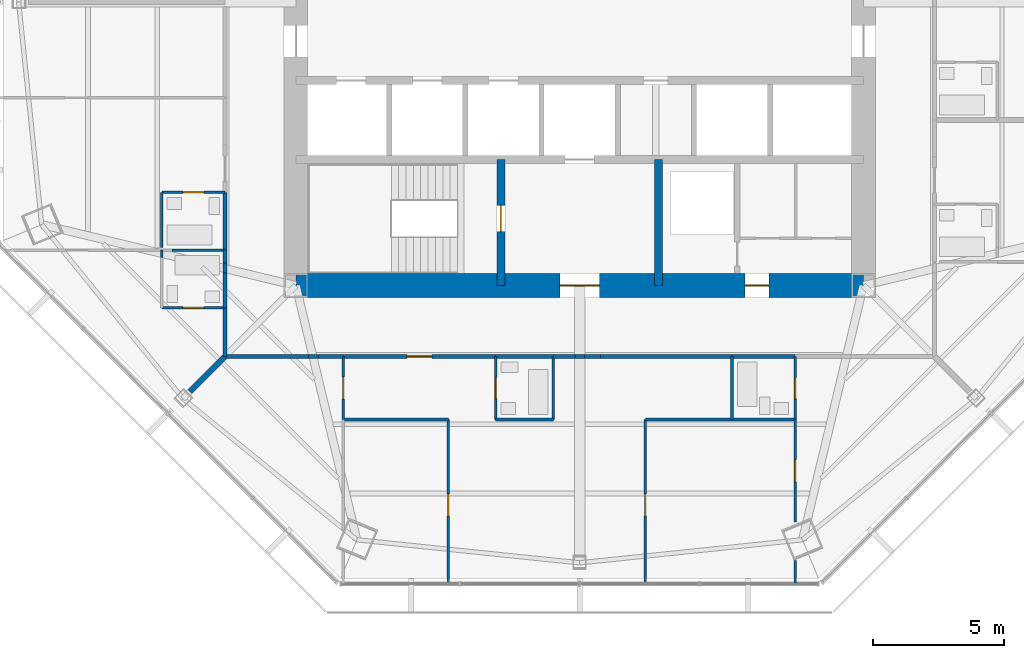
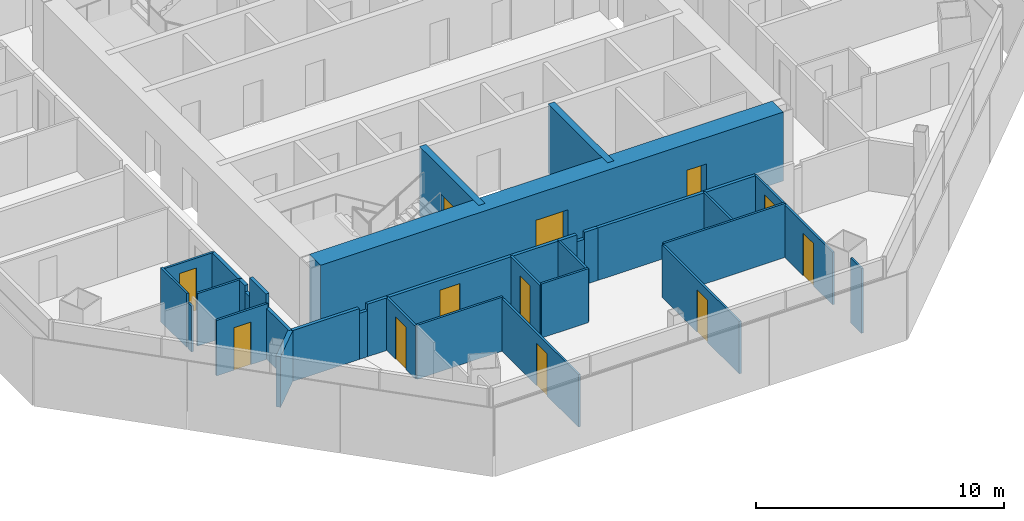
# One storey, part 9 of 15: 36 walls, 12 doors, 12 openings.
"""IFC4 building model written with IfcOpenShell, lengths in metres."""

import ifcopenshell
import ifcopenshell.guid

model = None  # the IFC model being written
_history = None  # IfcOwnerHistory: only IFC2X3 demands one
_inside = {}  # id of a spatial element -> (the spatial element, [elements in it])
_under = {}  # id of a project, library or spatial element -> (it, [spatial elements below it])
_declared = {}  # id of a project -> (the project, [libraries it declares])
_typed = {}  # id of a type object -> (the type object, [elements of that type])
_made_of = {}  # id of a material, layer set ... -> (it, [elements and type objects made of it])


def new_model(schema):
    """Start an empty IFC model of exactly this schema.

    Asked for "IFC4X3", IfcOpenShell would pick the latest addendum, in which some entities
    have other attributes; the version numbers below select the first issue.
    IFC2X3 requires an IfcOwnerHistory on every rooted entity: one is made here for all.
    """
    global model, _history
    if schema == "IFC4X3":
        model = ifcopenshell.file(schema_version=(4, 3, 0, 0))
    else:
        model = ifcopenshell.file(schema=schema)
    _inside.clear()
    _under.clear()
    _declared.clear()
    _typed.clear()
    _made_of.clear()
    _history = None
    if model.schema == "IFC2X3":
        org = make("IfcOrganization", Name="unknown")
        user = make(
            "IfcPersonAndOrganization",
            ThePerson=make("IfcPerson", FamilyName="unknown"),
            TheOrganization=org,
        )
        app = make(
            "IfcApplication",
            ApplicationDeveloper=org,
            Version="unknown",
            ApplicationFullName="unknown",
            ApplicationIdentifier="unknown",
        )
        _history = make(
            "IfcOwnerHistory",
            OwningUser=user,
            OwningApplication=app,
            ChangeAction="ADDED",
            CreationDate=0,
        )
    return model


def make(cls, **values):
    """One entity of the class cls with the attributes given. An attribute that is None is left unset."""
    return model.create_entity(
        cls, **{name: value for name, value in values.items() if value is not None}
    )


def rooted(cls, **values):
    """An entity with a GlobalId (a new one), such as an element, a storey or a relation."""
    return make(cls, GlobalId=ifcopenshell.guid.new(), OwnerHistory=_history, **values)


def si_unit(unit_type, name, prefix=None):
    """IfcSIUnit, for example si_unit("LENGTHUNIT", "METRE", prefix="MILLI")."""
    return make("IfcSIUnit", UnitType=unit_type, Prefix=prefix, Name=name)


def assignment(units):
    """IfcUnitAssignment: the units of a project."""
    return None if units is None else make("IfcUnitAssignment", Units=units)


def point(xyz):
    """IfcCartesianPoint."""
    return None if xyz is None else make("IfcCartesianPoint", Coordinates=xyz)


def direction(xyz):
    """IfcDirection."""
    return None if xyz is None else make("IfcDirection", DirectionRatios=xyz)


def frame(location, z_axis=None, x_axis=None):
    """IfcAxis2Placement3D, a coordinate frame: its origin and axes. An axis left out is left unset."""
    return make(
        "IfcAxis2Placement3D",
        Location=point(location),
        Axis=direction(z_axis),
        RefDirection=direction(x_axis),
    )


def frame_2d(location, x_axis=None):
    """IfcAxis2Placement2D, a coordinate frame in the plane: its origin and x axis."""
    return make(
        "IfcAxis2Placement2D", Location=point(location), RefDirection=direction(x_axis)
    )


def origin():
    """The frame at (0, 0, 0) with its axes left unset."""
    return frame((0.0, 0.0, 0.0))


def place(relative_to, where):
    """IfcLocalPlacement: puts the frame where relative to a parent placement (None: the world)."""
    return make(
        "IfcLocalPlacement", PlacementRelTo=relative_to, RelativePlacement=where
    )


def context(
    kind, dimensions, precision=None, world=None, true_north=None, identifier=None
):
    """IfcGeometricRepresentationContext, for example the 3D "Model" context."""
    return make(
        "IfcGeometricRepresentationContext",
        ContextIdentifier=identifier,
        ContextType=kind,
        CoordinateSpaceDimension=dimensions,
        Precision=precision,
        WorldCoordinateSystem=world,
        TrueNorth=true_north,
    )


def subcontext(parent, identifier, kind, view, scale=None):
    """IfcGeometricRepresentationSubContext, for example "Body" below "Model"."""
    return make(
        "IfcGeometricRepresentationSubContext",
        ContextIdentifier=identifier,
        ContextType=kind,
        ParentContext=parent,
        TargetScale=scale,
        TargetView=view,
    )


def project(units=None, contexts=None):
    """IfcProject with its units and contexts."""
    return rooted(
        "IfcProject",
        Name="project",
        RepresentationContexts=contexts,
        UnitsInContext=assignment(units),
    )


def spatial(cls, under=None, at=None, **own):
    """A site, building, storey or space (cls), placed at a placement, below another one or the project."""
    s = rooted(cls, ObjectPlacement=at, **own)
    if under is not None:
        _under.setdefault(under.id(), (under, []))[1].append(s)
    return s


def profile(cls, at=None, kind="AREA", **sizes):
    """A parametric profile (cls). Its sizes go by their IFC names, for example OverallWidth=200.0."""
    return make(cls, ProfileType=kind, Position=at, **sizes)


def rectangle(**sizes):
    """IfcRectangleProfileDef."""
    return profile("IfcRectangleProfileDef", **sizes)


def extrude(swept, where, along, depth):
    """IfcExtrudedAreaSolid: the profile swept, set in the frame where, extruded along a direction by depth."""
    return make(
        "IfcExtrudedAreaSolid",
        SweptArea=swept,
        Position=where,
        ExtrudedDirection=direction(along),
        Depth=depth,
    )


def shape(context_of_items, identifier, shape_type, items):
    """IfcShapeRepresentation: the items that make up one representation, for example the "Body"."""
    return make(
        "IfcShapeRepresentation",
        ContextOfItems=context_of_items,
        RepresentationIdentifier=identifier,
        RepresentationType=shape_type,
        Items=items,
    )


def material(Name=None, Category=None):
    """IfcMaterial."""
    return make("IfcMaterial", Name=Name, Category=Category)


def layer(
    of_material, thickness, ventilated=None, Name=None, Category=None, Priority=None
):
    """IfcMaterialLayer: one layer of a wall or slab, of a material (None: an air gap)."""
    return make(
        "IfcMaterialLayer",
        Material=of_material,
        LayerThickness=thickness,
        IsVentilated=ventilated,
        Name=Name,
        Category=Category,
        Priority=Priority,
    )


def layer_set(layers, Name=None):
    """IfcMaterialLayerSet."""
    return make("IfcMaterialLayerSet", MaterialLayers=layers, LayerSetName=Name)


def made_of(thing, what):
    """Note that an element or type object is made of a material, layer set ...; save() writes the relation."""
    if what is not None:
        _made_of.setdefault(what.id(), (what, []))[1].append(thing)
    return thing


def type_object(cls, material=None, **own):
    """A type object (cls), such as IfcWallType, which elements share."""
    return made_of(rooted(cls, **own), material)


def element(
    cls,
    number,
    at=None,
    inside=None,
    cuts=None,
    type_object=None,
    material=None,
    context=None,
    identifier="Body",
    shape_type=None,
    held_by="IfcProductDefinitionShape",
    body=None,
    shapes=None,
    **own,
):
    """One element of the class cls, such as IfcWall. Its Tag is "e" and its number.

    at: its placement. inside: the storey or other place that contains it. cuts: it is an
    opening in that element (IfcRelVoidsElement). A single representation is given by context,
    identifier, shape_type and body (its items); several are given by shapes. held_by: the class
    of the entity that holds the representations. save() writes the other relations.
    """
    e = rooted(cls, Tag="e%d" % number, ObjectPlacement=at, **own)
    if body is not None:
        shapes = [shape(context, identifier, shape_type, body)]
    if shapes is not None:
        e.Representation = make(held_by, Representations=shapes)
    if inside is not None:
        _inside.setdefault(inside.id(), (inside, []))[1].append(e)
    if cuts is not None:
        rooted(
            "IfcRelVoidsElement", RelatingBuildingElement=cuts, RelatedOpeningElement=e
        )
    if type_object is not None:
        _typed.setdefault(type_object.id(), (type_object, []))[1].append(e)
    return made_of(e, material)


def fill(opening, filler):
    """IfcRelFillsElement: the door or window that sits in an opening."""
    return rooted(
        "IfcRelFillsElement",
        RelatingOpeningElement=opening,
        RelatedBuildingElement=filler,
    )


def aggregate(whole, parts):
    """IfcRelAggregates: a whole, such as a stair, and the parts it consists of."""
    return rooted("IfcRelAggregates", RelatingObject=whole, RelatedObjects=parts)


def save(model, path):
    """Write the relations noted so far, then the file.

    IfcRelAggregates (storeys below a building ...), IfcRelContainedInSpatialStructure (elements
    in a storey), IfcRelDefinesByType, IfcRelAssociatesMaterial and IfcRelDeclares: one each for
    every whole, place, type object, material and project.
    """
    for whole, parts in _under.values():
        aggregate(whole, parts)
    for where, things in _inside.values():
        rooted(
            "IfcRelContainedInSpatialStructure",
            RelatedElements=things,
            RelatingStructure=where,
        )
    for kind, things in _typed.values():
        rooted("IfcRelDefinesByType", RelatedObjects=things, RelatingType=kind)
    for what, things in _made_of.values():
        rooted("IfcRelAssociatesMaterial", RelatedObjects=things, RelatingMaterial=what)
    for by, libraries in _declared.values():
        rooted("IfcRelDeclares", RelatingContext=by, RelatedDefinitions=libraries)
    model.write(path)


model = new_model("IFC4")

# Units and contexts
model_context = context("Model", 3, precision=1e-05, world=origin(), true_north=direction((0.0, 1.0)))
body_context = subcontext(model_context, "Body", "Model", "MODEL_VIEW")
ifc_project = project(units=[si_unit("LENGTHUNIT", "METRE"), si_unit("AREAUNIT", "SQUARE_METRE"), si_unit("VOLUMEUNIT", "CUBIC_METRE"), si_unit("PLANEANGLEUNIT", "RADIAN"), si_unit("MASSUNIT", "GRAM", prefix="KILO")], contexts=[model_context])

# Site, building, storey
site_placement = place(None, origin())
site = spatial("IfcSite", under=ifc_project, at=site_placement, CompositionType="ELEMENT")
building_placement = place(site_placement, origin())
building = spatial("IfcBuilding", under=site, at=building_placement, Name="Mashrafa Tower", CompositionType="ELEMENT")
storey_placement = place(building_placement, frame((0.0, 0.0, 207.39990234375)))
storey = spatial("IfcBuildingStorey", under=building, at=storey_placement, Name="L47", CompositionType="ELEMENT", Elevation=207.39990234375)

# Wall
ifc_material_1 = material(Name="Gypsum board on steel studs", Category="steel")
ifc_layer_1 = layer(ifc_material_1, 0.199951171875)
ifc_layer_set_1 = layer_set([ifc_layer_1], Name="Acoustic partition 200 1 hr")
wall_type_1 = type_object("IfcWallType", Name="Acoustic partition 200 1 hr", PredefinedType="PARTITIONING", material=ifc_layer_set_1)
wall_1_placement = place(storey_placement, frame((-14.8369140625, -14.8369140625, 0.0), z_axis=(0.0, 0.0, 1.0), x_axis=(0.707106781187, 0.707106781187, 0.0)))
element("IfcWall", 1, at=wall_1_placement, inside=storey, type_object=wall_type_1, Name="Acoustic wall L47-113", PredefinedType="PARTITIONING", context=body_context, shape_type="SweptSolid", body=[
    extrude(rectangle(XDim=1.890625, YDim=0.199951171875, at=frame_2d((0.9453125, 0.0))), origin(), (0.0, 0.0, 1.0), 2.511962890625),
])

# Wall, opening, door
ifc_material_2 = material(Name="Concrete C50/60", Category="concrete")
ifc_layer_2 = layer(ifc_material_2, 0.300048828125)
ifc_layer_set_2 = layer_set([ifc_layer_2], Name="Core wall 300 C50/60")
wall_type_2 = type_object("IfcWallType", Name="Core wall 300 C50/60", PredefinedType="SOLIDWALL", material=ifc_layer_set_2)
wall_2_placement = place(storey_placement, frame((-3.0, -6.0, 0.0), z_axis=(0.0, 0.0, 1.0), x_axis=(0.0, -1.0, 0.0)))
wall_2 = element("IfcWall", 2, at=wall_2_placement, inside=storey, type_object=wall_type_2, Name="Core wall CX-SW L47", PredefinedType="SOLIDWALL", context=body_context, shape_type="SweptSolid", body=[
    extrude(rectangle(XDim=4.800048828125, YDim=0.300048828125, at=frame_2d((2.39990234375, 0.0))), origin(), (0.0, 0.0, 1.0), 3.400146484375),
])
opening_1_placement = place(wall_2_placement, frame((1.75, 0.0, 0.0)))
opening_1 = element("IfcOpeningElement", 3, at=opening_1_placement, cuts=wall_2, Name="Opening 47.040", PredefinedType="OPENING", context=body_context, shape_type="SweptSolid", body=[
    extrude(rectangle(XDim=1.0, YDim=2.10009765625, at=frame_2d((0.5, 1.050048828125))), frame((0.0, 0.159912109375, 0.0), z_axis=(0.0, -1.0, 0.0), x_axis=(1.0, 0.0, 0.0)), (0.0, 0.0, 1.0), 0.320068359375),
])
ifc_material_3 = material(Name="Steel door", Category="steel")
door_type_1 = type_object("IfcDoorType", Name="Stair door 1000 x 2100 90 min", OperationType="USERDEFINED", PredefinedType="DOOR", material=ifc_material_3)
door_1_placement = place(opening_1_placement, frame((1.0, 0.0, 0.0), z_axis=(0.0, 0.0, 1.0), x_axis=(-1.0, 0.0, 0.0)))
door_1 = element("IfcDoor", 4, at=door_1_placement, inside=storey, type_object=door_type_1, Name="Stair S3 door L47", OperationType="SINGLE_SWING_RIGHT", OverallHeight=2.10009765625, OverallWidth=1.0, PredefinedType="DOOR", context=body_context, shape_type="SweptSolid", body=[
    extrude(rectangle(XDim=1.0, YDim=2.10009765625, at=frame_2d((0.5, 1.050048828125))), frame((0.0, 0.02490234375, 0.0), z_axis=(0.0, -1.0, 0.0), x_axis=(1.0, 0.0, 0.0)), (0.0, 0.0, 1.0), 0.050048828125),
])
fill(opening_1, door_1)

# Wall
wall_3_placement = place(storey_placement, frame((3.0, -6.0, 0.0), z_axis=(0.0, 0.0, 1.0), x_axis=(0.0, -1.0, 0.0)))
element("IfcWall", 5, at=wall_3_placement, inside=storey, type_object=wall_type_2, Name="Core wall CX-SE L47", PredefinedType="SOLIDWALL", context=body_context, shape_type="SweptSolid", body=[
    extrude(rectangle(XDim=4.800048828125, YDim=0.300048828125, at=frame_2d((2.39990234375, 0.0))), origin(), (0.0, 0.0, 1.0), 3.400146484375),
])

# Wall, openings, doors
ifc_material_4 = material(Name="Concrete C50/60", Category="concrete")
ifc_layer_3 = layer(ifc_material_4, 0.89990234375)
ifc_layer_set_3 = layer_set([ifc_layer_3], Name="Core wall 900 C50/60")
wall_type_3 = type_object("IfcWallType", Name="Core wall 900 C50/60", PredefinedType="SOLIDWALL", material=ifc_layer_set_3)
wall_4_placement = place(storey_placement, frame((-10.800048828125, -10.800048828125, 0.0), z_axis=(0.0, 0.0, 1.0), x_axis=(1.0, 0.0, 0.0)))
wall_4 = element("IfcWall", 6, at=wall_4_placement, inside=storey, type_object=wall_type_3, Name="Core wall CW-S L47", PredefinedType="SOLIDWALL", context=body_context, shape_type="SweptSolid", body=[
    extrude(rectangle(XDim=21.60009765625, YDim=0.89990234375, at=frame_2d((10.800048828125, 0.0))), origin(), (0.0, 0.0, 1.0), 3.400146484375),
])
opening_2_placement = place(wall_4_placement, frame((10.050048828125, 0.0, 0.0)))
opening_2 = element("IfcOpeningElement", 7, at=opening_2_placement, cuts=wall_4, Name="Opening 47.037", PredefinedType="OPENING", context=body_context, shape_type="SweptSolid", body=[
    extrude(rectangle(XDim=1.5, YDim=2.10009765625, at=frame_2d((0.75, 1.050048828125))), frame((0.0, 0.4599609375, 0.0), z_axis=(0.0, -1.0, 0.0), x_axis=(1.0, 0.0, 0.0)), (0.0, 0.0, 1.0), 0.919921875),
])
opening_3_placement = place(wall_4_placement, frame((17.10009765625, 0.0, 0.0)))
opening_3 = element("IfcOpeningElement", 8, at=opening_3_placement, cuts=wall_4, Name="Opening 47.041", PredefinedType="OPENING", context=body_context, shape_type="SweptSolid", body=[
    extrude(rectangle(XDim=0.89990234375, YDim=2.10009765625, at=frame_2d((0.449951171875, 1.050048828125))), frame((0.0, 0.4599609375, 0.0), z_axis=(0.0, -1.0, 0.0), x_axis=(1.0, 0.0, 0.0)), (0.0, 0.0, 1.0), 0.919921875),
])
ifc_material_5 = material(Name="Steel door", Category="steel")
door_type_2 = type_object("IfcDoorType", Name="Lobby door pair 1500 x 2100 90 min", OperationType="DOUBLE_DOOR_SINGLE_SWING", PredefinedType="DOOR", material=ifc_material_5)
door_2_placement = place(opening_2_placement, origin())
door_2 = element("IfcDoor", 9, at=door_2_placement, inside=storey, type_object=door_type_2, Name="Fire-fighting lobby F2 door L47", OperationType="DOUBLE_DOOR_SINGLE_SWING", OverallHeight=2.10009765625, OverallWidth=1.5, PredefinedType="DOOR", context=body_context, shape_type="SweptSolid", body=[
    extrude(rectangle(XDim=1.5, YDim=2.10009765625, at=frame_2d((0.75, 1.050048828125))), frame((0.0, 0.02490234375, 0.0), z_axis=(0.0, -1.0, 0.0), x_axis=(1.0, 0.0, 0.0)), (0.0, 0.0, 1.0), 0.050048828125),
])
fill(opening_2, door_2)
ifc_material_6 = material(Name="Steel door", Category="steel")
door_type_3 = type_object("IfcDoorType", Name="Service door 900 x 2100 90 min", OperationType="USERDEFINED", PredefinedType="DOOR", material=ifc_material_6)
door_3_placement = place(opening_3_placement, frame((0.89990234375, 0.0, 0.0), z_axis=(0.0, 0.0, 1.0), x_axis=(-1.0, 0.0, 0.0)))
door_3 = element("IfcDoor", 10, at=door_3_placement, inside=storey, type_object=door_type_3, Name="Services Lobby L47 door", OperationType="SINGLE_SWING_LEFT", OverallHeight=2.10009765625, OverallWidth=0.89990234375, PredefinedType="DOOR", context=body_context, shape_type="SweptSolid", body=[
    extrude(rectangle(XDim=0.89990234375, YDim=2.10009765625, at=frame_2d((0.449951171875, 1.050048828125))), frame((0.0, 0.02490234375, 0.0), z_axis=(0.0, -1.0, 0.0), x_axis=(1.0, 0.0, 0.0)), (0.0, 0.0, 1.0), 0.050048828125),
])
fill(opening_3, door_3)

# Walls
ifc_material_7 = material(Name="Gypsum board on steel studs", Category="steel")
ifc_layer_4 = layer(ifc_material_7, 0.14990234375)
ifc_layer_set_4 = layer_set([ifc_layer_4], Name="Corridor partition 150 1 hr")
wall_type_4 = type_object("IfcWallType", Name="Corridor partition 150 1 hr", PredefinedType="PARTITIONING", material=ifc_layer_set_4)
wall_5_placement = place(storey_placement, frame((-13.5, -9.448974609375, 0.0), z_axis=(0.0, 0.0, 1.0), x_axis=(0.0, -1.0, 0.0)))
element("IfcWall", 11, at=wall_5_placement, inside=storey, type_object=wall_type_4, Name="Corridor wall L47-039", PredefinedType="PARTITIONING", context=body_context, shape_type="SweptSolid", body=[
    extrude(rectangle(XDim=0.498291015625, YDim=0.14990234375, at=frame_2d((0.2490234375, 0.0))), origin(), (0.0, 0.0, 1.0), 2.590576171875),
])
wall_6_placement = place(storey_placement, frame((-13.5, -10.322998046875, 0.0), z_axis=(0.0, 0.0, 1.0), x_axis=(0.0, -1.0, 0.0)))
element("IfcWall", 12, at=wall_6_placement, inside=storey, type_object=wall_type_4, Name="Corridor wall L47-040", PredefinedType="PARTITIONING", context=body_context, shape_type="SweptSolid", body=[
    extrude(rectangle(XDim=1.327880859375, YDim=0.14990234375, at=frame_2d((0.6640625, 0.0))), origin(), (0.0, 0.0, 1.0), 3.2001953125),
])
wall_7_placement = place(storey_placement, frame((-13.5, -9.947265625, 0.0), z_axis=(0.0, 0.0, 1.0), x_axis=(0.0, -1.0, 0.0)))
element("IfcWall", 13, at=wall_7_placement, inside=storey, type_object=wall_type_4, Name="Corridor wall L47-041", PredefinedType="PARTITIONING", context=body_context, shape_type="SweptSolid", body=[
    extrude(rectangle(XDim=0.375732421875, YDim=0.14990234375, at=frame_2d((0.18798828125, 0.0))), origin(), (0.0, 0.0, 1.0), 2.268310546875),
])
wall_8_placement = place(storey_placement, frame((-13.5, -11.64892578125, 0.0), z_axis=(0.0, 0.0, 1.0), x_axis=(0.0, -1.0, 0.0)))
element("IfcWall", 14, at=wall_8_placement, inside=storey, type_object=wall_type_4, Name="Corridor wall L47-042", PredefinedType="PARTITIONING", context=body_context, shape_type="SweptSolid", body=[
    extrude(rectangle(XDim=1.85107421875, YDim=0.14990234375, at=frame_2d((0.925537109375, 0.0))), origin(), (0.0, 0.0, 1.0), 2.511962890625),
])
wall_9_placement = place(storey_placement, frame((-13.5, -7.2490234375, 0.0), z_axis=(0.0, 0.0, 1.0), x_axis=(0.0, -1.0, 0.0)))
element("IfcWall", 15, at=wall_9_placement, inside=storey, type_object=wall_type_4, Name="Corridor wall L47-043", PredefinedType="PARTITIONING", context=body_context, shape_type="SweptSolid", body=[
    extrude(rectangle(XDim=2.201904296875, YDim=0.14990234375, at=frame_2d((1.10107421875, 0.0))), origin(), (0.0, 0.0, 1.0), 2.590576171875),
])
wall_10_placement = place(storey_placement, frame((-13.5, -13.5, 0.0), z_axis=(0.0, 0.0, 1.0), x_axis=(1.0, 0.0, 0.0)))
element("IfcWall", 16, at=wall_10_placement, inside=storey, type_object=wall_type_4, Name="Corridor wall L47-047", PredefinedType="PARTITIONING", context=body_context, shape_type="SweptSolid", body=[
    extrude(rectangle(XDim=3.177001953125, YDim=0.14990234375, at=frame_2d((1.58837890625, 0.0))), origin(), (0.0, 0.0, 1.0), 2.511962890625),
])
wall_11_placement = place(storey_placement, frame((-9.947265625, -13.5, 0.0), z_axis=(0.0, 0.0, 1.0), x_axis=(1.0, 0.0, 0.0)))
element("IfcWall", 17, at=wall_11_placement, inside=storey, type_object=wall_type_4, Name="Corridor wall L47-048", PredefinedType="PARTITIONING", context=body_context, shape_type="SweptSolid", body=[
    extrude(rectangle(XDim=0.9482421875, YDim=0.14990234375, at=frame_2d((0.47412109375, 0.0))), origin(), (0.0, 0.0, 1.0), 2.590576171875),
])
wall_12_placement = place(storey_placement, frame((-10.322998046875, -13.5, 0.0), z_axis=(0.0, 0.0, 1.0), x_axis=(1.0, 0.0, 0.0)))
element("IfcWall", 18, at=wall_12_placement, inside=storey, type_object=wall_type_4, Name="Corridor wall L47-049", PredefinedType="PARTITIONING", context=body_context, shape_type="SweptSolid", body=[
    extrude(rectangle(XDim=0.375732421875, YDim=0.14990234375, at=frame_2d((0.18798828125, 0.0))), origin(), (0.0, 0.0, 1.0), 2.268310546875),
])
wall_13_placement = place(storey_placement, frame((-3.200927734375, -13.5, 0.0), z_axis=(0.0, 0.0, 1.0), x_axis=(1.0, 0.0, 0.0)))
element("IfcWall", 19, at=wall_13_placement, inside=storey, type_object=wall_type_4, Name="Corridor wall L47-050", PredefinedType="PARTITIONING", context=body_context, shape_type="SweptSolid", body=[
    extrude(rectangle(XDim=2.201904296875, YDim=0.14990234375, at=frame_2d((1.10107421875, 0.0))), origin(), (0.0, 0.0, 1.0), 2.590576171875),
])
wall_14_placement = place(storey_placement, frame((-1.0009765625, -13.5, 0.0), z_axis=(0.0, 0.0, 1.0), x_axis=(1.0, 0.0, 0.0)))
element("IfcWall", 20, at=wall_14_placement, inside=storey, type_object=wall_type_4, Name="Corridor wall L47-051", PredefinedType="PARTITIONING", context=body_context, shape_type="SweptSolid", body=[
    extrude(rectangle(XDim=0.8173828125, YDim=0.14990234375, at=frame_2d((0.40869140625, 0.0))), origin(), (0.0, 0.0, 1.0), 2.590576171875),
])
wall_15_placement = place(storey_placement, frame((0.18359375, -13.5, 0.0), z_axis=(0.0, 0.0, 1.0), x_axis=(1.0, 0.0, 0.0)))
element("IfcWall", 21, at=wall_15_placement, inside=storey, type_object=wall_type_4, Name="Corridor wall L47-052", PredefinedType="PARTITIONING", context=body_context, shape_type="SweptSolid", body=[
    extrude(rectangle(XDim=0.617431640625, YDim=0.14990234375, at=frame_2d((0.30859375, 0.0))), origin(), (0.0, 0.0, 1.0), 2.590576171875),
])
wall_16_placement = place(storey_placement, frame((-0.18359375, -13.5, 0.0), z_axis=(0.0, 0.0, 1.0), x_axis=(1.0, 0.0, 0.0)))
element("IfcWall", 22, at=wall_16_placement, inside=storey, type_object=wall_type_4, Name="Corridor wall L47-053", PredefinedType="PARTITIONING", context=body_context, shape_type="SweptSolid", body=[
    extrude(rectangle(XDim=0.3671875, YDim=0.14990234375, at=frame_2d((0.18359375, 0.0))), origin(), (0.0, 0.0, 1.0), 2.2529296875),
])
wall_17_placement = place(storey_placement, frame((5.799072265625, -13.5, 0.0), z_axis=(0.0, 0.0, 1.0), x_axis=(1.0, 0.0, 0.0)))
element("IfcWall", 23, at=wall_17_placement, inside=storey, type_object=wall_type_4, Name="Corridor wall L47-054", PredefinedType="PARTITIONING", context=body_context, shape_type="SweptSolid", body=[
    extrude(rectangle(XDim=2.40185546875, YDim=0.14990234375, at=frame_2d((1.200927734375, 0.0))), origin(), (0.0, 0.0, 1.0), 2.590576171875),
])

# Wall, opening, door
wall_18_placement = place(storey_placement, frame((-9.0009765625, -13.5, 0.0), z_axis=(0.0, 0.0, 1.0), x_axis=(1.0, 0.0, 0.0)))
wall_18 = element("IfcWall", 24, at=wall_18_placement, inside=storey, type_object=wall_type_4, Name="Corridor wall L47-058", PredefinedType="PARTITIONING", context=body_context, shape_type="SweptSolid", body=[
    extrude(rectangle(XDim=5.802001953125, YDim=0.14990234375, at=frame_2d((2.90087890625, 0.0))), origin(), (0.0, 0.0, 1.0), 2.590576171875),
])
opening_4_placement = place(wall_18_placement, frame((2.426025390625, 0.0, 0.0)))
opening_4 = element("IfcOpeningElement", 25, at=opening_4_placement, cuts=wall_18, Name="Opening 47.030", PredefinedType="OPENING", context=body_context, shape_type="SweptSolid", body=[
    extrude(rectangle(XDim=0.949951171875, YDim=2.10009765625, at=frame_2d((0.47509765625, 1.050048828125))), frame((0.0, 0.0849609375, 0.0), z_axis=(0.0, -1.0, 0.0), x_axis=(1.0, 0.0, 0.0)), (0.0, 0.0, 1.0), 0.169921875),
])
ifc_material_8 = material(Name="Steel door", Category="steel")
door_type_4 = type_object("IfcDoorType", Name="Residence entrance door 950 x 2100 20 min", OperationType="USERDEFINED", PredefinedType="DOOR", material=ifc_material_8)
door_4_placement = place(opening_4_placement, frame((0.949951171875, 0.0, 0.0), z_axis=(0.0, 0.0, 1.0), x_axis=(-1.0, 0.0, 0.0)))
door_4 = element("IfcDoor", 26, at=door_4_placement, inside=storey, type_object=door_type_4, Name="Apartment 4708 Living Room door", OperationType="SINGLE_SWING_RIGHT", OverallHeight=2.10009765625, OverallWidth=0.949951171875, PredefinedType="DOOR", context=body_context, shape_type="SweptSolid", body=[
    extrude(rectangle(XDim=0.949951171875, YDim=2.10009765625, at=frame_2d((0.47509765625, 1.050048828125))), frame((0.0, 0.02490234375, 0.0), z_axis=(0.0, -1.0, 0.0), x_axis=(1.0, 0.0, 0.0)), (0.0, 0.0, 1.0), 0.050048828125),
])
fill(opening_4, door_4)

# Walls
wall_19_placement = place(storey_placement, frame((0.799072265625, -13.5, 0.0), z_axis=(0.0, 0.0, 1.0), x_axis=(1.0, 0.0, 0.0)))
element("IfcWall", 27, at=wall_19_placement, inside=storey, type_object=wall_type_4, Name="Corridor wall L47-059", PredefinedType="PARTITIONING", context=body_context, shape_type="SweptSolid", body=[
    extrude(rectangle(XDim=5.001953125, YDim=0.14990234375, at=frame_2d((2.5009765625, 0.0))), origin(), (0.0, 0.0, 1.0), 2.590576171875),
])
ifc_material_9 = material(Name="Gypsum board on steel studs", Category="steel")
ifc_layer_5 = layer(ifc_material_9, 0.10009765625)
ifc_layer_set_5 = layer_set([ifc_layer_5], Name="Partition 100")
wall_type_5 = type_object("IfcWallType", Name="Partition 100", PredefinedType="PARTITIONING", material=ifc_layer_set_5)
wall_20_placement = place(storey_placement, frame((-15.89990234375, -9.449951171875, 0.0), z_axis=(0.0, 0.0, 1.0), x_axis=(0.0, -1.0, 0.0)))
element("IfcWall", 28, at=wall_20_placement, inside=storey, type_object=wall_type_5, Name="Partition wall L47-107", PredefinedType="PARTITIONING", context=body_context, shape_type="SweptSolid", body=[
    extrude(rectangle(XDim=0.281982421875, YDim=0.10009765625, at=frame_2d((0.14111328125, 0.0))), origin(), (0.0, 0.0, 1.0), 2.268310546875),
])

# Wall, opening, door
wall_21_placement = place(storey_placement, frame((-15.89990234375, -11.64990234375, 0.0), z_axis=(0.0, 0.0, 1.0), x_axis=(1.0, 0.0, 0.0)))
wall_21 = element("IfcWall", 29, at=wall_21_placement, inside=storey, type_object=wall_type_5, Name="Partition wall L47-108", PredefinedType="PARTITIONING", context=body_context, shape_type="SweptSolid", body=[
    extrude(rectangle(XDim=2.39990234375, YDim=0.10009765625, at=frame_2d((1.199951171875, 0.0))), origin(), (0.0, 0.0, 1.0), 2.740478515625),
])
opening_5_placement = place(wall_21_placement, frame((0.800048828125, 0.0, 0.0)))
opening_5 = element("IfcOpeningElement", 30, at=opening_5_placement, cuts=wall_21, Name="Opening 47.020", PredefinedType="OPENING", context=body_context, shape_type="SweptSolid", body=[
    extrude(rectangle(XDim=0.800048828125, YDim=2.10009765625, at=frame_2d((0.39990234375, 1.050048828125))), frame((0.0, 0.06005859375, 0.0), z_axis=(0.0, -1.0, 0.0), x_axis=(1.0, 0.0, 0.0)), (0.0, 0.0, 1.0), 0.1201171875),
])
ifc_material_10 = material(Name="Timber door", Category="wood")
door_type_5 = type_object("IfcDoorType", Name="Bathroom door 800 x 2100", OperationType="USERDEFINED", PredefinedType="DOOR", material=ifc_material_10)
door_5_placement = place(opening_5_placement, origin())
door_5 = element("IfcDoor", 31, at=door_5_placement, inside=storey, type_object=door_type_5, Name="Apartment 4707 En-suite Bathroom door", OperationType="SINGLE_SWING_LEFT", OverallHeight=2.10009765625, OverallWidth=0.800048828125, PredefinedType="DOOR", context=body_context, shape_type="SweptSolid", body=[
    extrude(rectangle(XDim=0.800048828125, YDim=2.10009765625, at=frame_2d((0.39990234375, 1.050048828125))), frame((0.0, 0.02490234375, 0.0), z_axis=(0.0, -1.0, 0.0), x_axis=(1.0, 0.0, 0.0)), (0.0, 0.0, 1.0), 0.050048828125),
])
fill(opening_5, door_5)

# Wall
wall_22_placement = place(storey_placement, frame((-13.5, -9.449951171875, 0.0), z_axis=(0.0, 0.0, 1.0), x_axis=(-1.0, 0.0, 0.0)))
element("IfcWall", 32, at=wall_22_placement, inside=storey, type_object=wall_type_5, Name="Partition wall L47-109", PredefinedType="PARTITIONING", context=body_context, shape_type="SweptSolid", body=[
    extrude(rectangle(XDim=2.019287109375, YDim=0.10009765625, at=frame_2d((1.009765625, 0.0))), origin(), (0.0, 0.0, 1.0), 2.590576171875),
])

# Wall, opening, door
wall_23_placement = place(storey_placement, frame((-13.5, -7.25, 0.0), z_axis=(0.0, 0.0, 1.0), x_axis=(-1.0, 0.0, 0.0)))
wall_23 = element("IfcWall", 33, at=wall_23_placement, inside=storey, type_object=wall_type_5, Name="Partition wall L47-114", PredefinedType="PARTITIONING", context=body_context, shape_type="SweptSolid", body=[
    extrude(rectangle(XDim=2.39990234375, YDim=0.10009765625, at=frame_2d((1.199951171875, 0.0))), origin(), (0.0, 0.0, 1.0), 2.590576171875),
])
opening_6_placement = place(wall_23_placement, frame((0.800048828125, 0.0, 0.0)))
opening_6 = element("IfcOpeningElement", 34, at=opening_6_placement, cuts=wall_23, Name="Opening 47.022", PredefinedType="OPENING", context=body_context, shape_type="SweptSolid", body=[
    extrude(rectangle(XDim=0.800048828125, YDim=2.10009765625, at=frame_2d((0.39990234375, 1.050048828125))), frame((0.0, 0.06005859375, 0.0), z_axis=(0.0, -1.0, 0.0), x_axis=(1.0, 0.0, 0.0)), (0.0, 0.0, 1.0), 0.1201171875),
])
door_6_placement = place(opening_6_placement, origin())
door_6 = element("IfcDoor", 35, at=door_6_placement, inside=storey, type_object=door_type_5, Name="Apartment 4707 Bathroom door", OperationType="SINGLE_SWING_RIGHT", OverallHeight=2.10009765625, OverallWidth=0.800048828125, PredefinedType="DOOR", context=body_context, shape_type="SweptSolid", body=[
    extrude(rectangle(XDim=0.800048828125, YDim=2.10009765625, at=frame_2d((0.39990234375, 1.050048828125))), frame((0.0, 0.02490234375, 0.0), z_axis=(0.0, -1.0, 0.0), x_axis=(1.0, 0.0, 0.0)), (0.0, 0.0, 1.0), 0.050048828125),
])
fill(opening_6, door_6)

# Wall
wall_24_placement = place(storey_placement, frame((-15.89990234375, -7.25, 0.0), z_axis=(0.0, 0.0, 1.0), x_axis=(0.0, -1.0, 0.0)))
element("IfcWall", 36, at=wall_24_placement, inside=storey, type_object=wall_type_5, Name="Partition wall L47-115", PredefinedType="PARTITIONING", context=body_context, shape_type="SweptSolid", body=[
    extrude(rectangle(XDim=2.106201171875, YDim=0.10009765625, at=frame_2d((1.05322265625, 0.0))), origin(), (0.0, 0.0, 1.0), 2.664306640625),
])

# Wall, opening, door
wall_25_placement = place(storey_placement, frame((-9.0, -15.90087890625, 0.0), z_axis=(0.0, 0.0, 1.0), x_axis=(0.0, 1.0, 0.0)))
wall_25 = element("IfcWall", 37, at=wall_25_placement, inside=storey, type_object=wall_type_5, Name="Partition wall L47-122", PredefinedType="PARTITIONING", context=body_context, shape_type="SweptSolid", body=[
    extrude(rectangle(XDim=2.40087890625, YDim=0.10009765625, at=frame_2d((1.200439453125, 0.0))), origin(), (0.0, 0.0, 1.0), 2.590576171875),
])
opening_7_placement = place(wall_25_placement, frame((0.775390625, 0.0, 0.0)))
opening_7 = element("IfcOpeningElement", 38, at=opening_7_placement, cuts=wall_25, Name="Opening 47.025", PredefinedType="OPENING", context=body_context, shape_type="SweptSolid", body=[
    extrude(rectangle(XDim=0.85009765625, YDim=2.10009765625, at=frame_2d((0.425048828125, 1.050048828125))), frame((0.0, 0.06005859375, 0.0), z_axis=(0.0, -1.0, 0.0), x_axis=(1.0, 0.0, 0.0)), (0.0, 0.0, 1.0), 0.1201171875),
])
ifc_material_11 = material(Name="Timber door", Category="wood")
door_type_6 = type_object("IfcDoorType", Name="Bedroom door 850 x 2100", OperationType="USERDEFINED", PredefinedType="DOOR", material=ifc_material_11)
door_7_placement = place(opening_7_placement, origin())
door_7 = element("IfcDoor", 39, at=door_7_placement, inside=storey, type_object=door_type_6, Name="Apartment 4708 Bedroom 1 door", OperationType="SINGLE_SWING_RIGHT", OverallHeight=2.10009765625, OverallWidth=0.85009765625, PredefinedType="DOOR", context=body_context, shape_type="SweptSolid", body=[
    extrude(rectangle(XDim=0.85009765625, YDim=2.10009765625, at=frame_2d((0.425048828125, 1.050048828125))), frame((0.0, 0.02490234375, 0.0), z_axis=(0.0, -1.0, 0.0), x_axis=(1.0, 0.0, 0.0)), (0.0, 0.0, 1.0), 0.050048828125),
])
fill(opening_7, door_7)

wall_26_placement = place(storey_placement, frame((-5.0, -22.131591796875, 0.0), z_axis=(0.0, 0.0, 1.0), x_axis=(0.0, 1.0, 0.0)))
wall_26 = element("IfcWall", 40, at=wall_26_placement, inside=storey, type_object=wall_type_5, Name="Partition wall L47-123", PredefinedType="PARTITIONING", context=body_context, shape_type="SweptSolid", body=[
    extrude(rectangle(XDim=6.231689453125, YDim=0.10009765625, at=frame_2d((3.11572265625, 0.0))), origin(), (0.0, 0.0, 1.0), 2.590576171875),
])
opening_8_placement = place(wall_26_placement, frame((2.552734375, 0.0, 0.0)))
opening_8 = element("IfcOpeningElement", 41, at=opening_8_placement, cuts=wall_26, Name="Opening 47.026", PredefinedType="OPENING", context=body_context, shape_type="SweptSolid", body=[
    extrude(rectangle(XDim=0.85009765625, YDim=2.10009765625, at=frame_2d((0.425048828125, 1.050048828125))), frame((0.0, 0.06005859375, 0.0), z_axis=(0.0, -1.0, 0.0), x_axis=(1.0, 0.0, 0.0)), (0.0, 0.0, 1.0), 0.1201171875),
])
door_8_placement = place(opening_8_placement, origin())
door_8 = element("IfcDoor", 42, at=door_8_placement, inside=storey, type_object=door_type_6, Name="Apartment 4708 Bedroom 2 door", OperationType="SINGLE_SWING_LEFT", OverallHeight=2.10009765625, OverallWidth=0.85009765625, PredefinedType="DOOR", context=body_context, shape_type="SweptSolid", body=[
    extrude(rectangle(XDim=0.85009765625, YDim=2.10009765625, at=frame_2d((0.425048828125, 1.050048828125))), frame((0.0, 0.02490234375, 0.0), z_axis=(0.0, -1.0, 0.0), x_axis=(1.0, 0.0, 0.0)), (0.0, 0.0, 1.0), 0.050048828125),
])
fill(opening_8, door_8)

# Walls
wall_27_placement = place(storey_placement, frame((-5.0, -15.89990234375, 0.0), z_axis=(0.0, 0.0, 1.0), x_axis=(-1.0, 0.0, 0.0)))
element("IfcWall", 43, at=wall_27_placement, inside=storey, type_object=wall_type_5, Name="Partition wall L47-124", PredefinedType="PARTITIONING", context=body_context, shape_type="SweptSolid", body=[
    extrude(rectangle(XDim=4.0, YDim=0.10009765625, at=frame_2d((2.0, 0.0))), origin(), (0.0, 0.0, 1.0), 2.664306640625),
])
wall_28_placement = place(storey_placement, frame((-1.0, -15.89990234375, 0.0), z_axis=(0.0, 0.0, 1.0), x_axis=(0.0, 1.0, 0.0)))
element("IfcWall", 44, at=wall_28_placement, inside=storey, type_object=wall_type_5, Name="Partition wall L47-125", PredefinedType="PARTITIONING", context=body_context, shape_type="SweptSolid", body=[
    extrude(rectangle(XDim=2.39990234375, YDim=0.10009765625, at=frame_2d((1.199951171875, 0.0))), origin(), (0.0, 0.0, 1.0), 2.590576171875),
])

# Wall, opening, door
wall_29_placement = place(storey_placement, frame((-3.199951171875, -13.5, 0.0), z_axis=(0.0, 0.0, 1.0), x_axis=(0.0, -1.0, 0.0)))
wall_29 = element("IfcWall", 45, at=wall_29_placement, inside=storey, type_object=wall_type_5, Name="Partition wall L47-126", PredefinedType="PARTITIONING", context=body_context, shape_type="SweptSolid", body=[
    extrude(rectangle(XDim=2.39990234375, YDim=0.10009765625, at=frame_2d((1.199951171875, 0.0))), origin(), (0.0, 0.0, 1.0), 2.590576171875),
])
opening_9_placement = place(wall_29_placement, frame((0.800048828125, 0.0, 0.0)))
opening_9 = element("IfcOpeningElement", 46, at=opening_9_placement, cuts=wall_29, Name="Opening 47.027", PredefinedType="OPENING", context=body_context, shape_type="SweptSolid", body=[
    extrude(rectangle(XDim=0.800048828125, YDim=2.10009765625, at=frame_2d((0.39990234375, 1.050048828125))), frame((0.0, 0.06005859375, 0.0), z_axis=(0.0, -1.0, 0.0), x_axis=(1.0, 0.0, 0.0)), (0.0, 0.0, 1.0), 0.1201171875),
])
door_9_placement = place(opening_9_placement, origin())
door_9 = element("IfcDoor", 47, at=door_9_placement, inside=storey, type_object=door_type_5, Name="Apartment 4708 Bathroom door", OperationType="SINGLE_SWING_RIGHT", OverallHeight=2.10009765625, OverallWidth=0.800048828125, PredefinedType="DOOR", context=body_context, shape_type="SweptSolid", body=[
    extrude(rectangle(XDim=0.800048828125, YDim=2.10009765625, at=frame_2d((0.39990234375, 1.050048828125))), frame((0.0, 0.02490234375, 0.0), z_axis=(0.0, -1.0, 0.0), x_axis=(1.0, 0.0, 0.0)), (0.0, 0.0, 1.0), 0.050048828125),
])
fill(opening_9, door_9)

# Wall
wall_30_placement = place(storey_placement, frame((-3.199951171875, -15.89990234375, 0.0), z_axis=(0.0, 0.0, 1.0), x_axis=(1.0, 0.0, 0.0)))
element("IfcWall", 48, at=wall_30_placement, inside=storey, type_object=wall_type_5, Name="Partition wall L47-127", PredefinedType="PARTITIONING", context=body_context, shape_type="SweptSolid", body=[
    extrude(rectangle(XDim=2.199951171875, YDim=0.10009765625, at=frame_2d((1.10009765625, 0.0))), origin(), (0.0, 0.0, 1.0), 2.664306640625),
])

# Wall, opening, door
wall_31_placement = place(storey_placement, frame((8.199951171875, -15.89990234375, 0.0), z_axis=(0.0, 0.0, 1.0), x_axis=(0.0, 1.0, 0.0)))
wall_31 = element("IfcWall", 49, at=wall_31_placement, inside=storey, type_object=wall_type_5, Name="Partition wall L47-128", PredefinedType="PARTITIONING", context=body_context, shape_type="SweptSolid", body=[
    extrude(rectangle(XDim=2.39990234375, YDim=0.10009765625, at=frame_2d((1.199951171875, 0.0))), origin(), (0.0, 0.0, 1.0), 2.590576171875),
])
opening_10_placement = place(wall_31_placement, frame((0.800048828125, 0.0, 0.0)))
opening_10 = element("IfcOpeningElement", 50, at=opening_10_placement, cuts=wall_31, Name="Opening 47.028", PredefinedType="OPENING", context=body_context, shape_type="SweptSolid", body=[
    extrude(rectangle(XDim=0.800048828125, YDim=2.10009765625, at=frame_2d((0.39990234375, 1.050048828125))), frame((0.0, 0.06005859375, 0.0), z_axis=(0.0, -1.0, 0.0), x_axis=(1.0, 0.0, 0.0)), (0.0, 0.0, 1.0), 0.1201171875),
])
door_10_placement = place(opening_10_placement, origin())
door_10 = element("IfcDoor", 51, at=door_10_placement, inside=storey, type_object=door_type_5, Name="Apartment 4708 En-suite Bathroom door", OperationType="SINGLE_SWING_LEFT", OverallHeight=2.10009765625, OverallWidth=0.800048828125, PredefinedType="DOOR", context=body_context, shape_type="SweptSolid", body=[
    extrude(rectangle(XDim=0.800048828125, YDim=2.10009765625, at=frame_2d((0.39990234375, 1.050048828125))), frame((0.0, 0.02490234375, 0.0), z_axis=(0.0, -1.0, 0.0), x_axis=(1.0, 0.0, 0.0)), (0.0, 0.0, 1.0), 0.050048828125),
])
fill(opening_10, door_10)

# Walls
wall_32_placement = place(storey_placement, frame((5.800048828125, -13.5, 0.0), z_axis=(0.0, 0.0, 1.0), x_axis=(0.0, -1.0, 0.0)))
element("IfcWall", 52, at=wall_32_placement, inside=storey, type_object=wall_type_5, Name="Partition wall L47-129", PredefinedType="PARTITIONING", context=body_context, shape_type="SweptSolid", body=[
    extrude(rectangle(XDim=2.39990234375, YDim=0.10009765625, at=frame_2d((1.199951171875, 0.0))), origin(), (0.0, 0.0, 1.0), 2.590576171875),
])
wall_33_placement = place(storey_placement, frame((8.199951171875, -15.89990234375, 0.0), z_axis=(0.0, 0.0, 1.0), x_axis=(-1.0, 0.0, 0.0)))
element("IfcWall", 53, at=wall_33_placement, inside=storey, type_object=wall_type_5, Name="Partition wall L47-130", PredefinedType="PARTITIONING", context=body_context, shape_type="SweptSolid", body=[
    extrude(rectangle(XDim=5.699951171875, YDim=0.10009765625, at=frame_2d((2.85009765625, 0.0))), origin(), (0.0, 0.0, 1.0), 2.664306640625),
])

# Wall, opening, door
wall_34_placement = place(storey_placement, frame((8.199951171875, -15.89892578125, 0.0), z_axis=(0.0, 0.0, 1.0), x_axis=(0.0, -1.0, 0.0)))
wall_34 = element("IfcWall", 54, at=wall_34_placement, inside=storey, type_object=wall_type_5, Name="Partition wall L47-131", PredefinedType="PARTITIONING", context=body_context, shape_type="SweptSolid", body=[
    extrude(rectangle(XDim=3.903076171875, YDim=0.10009765625, at=frame_2d((1.95166015625, 0.0))), origin(), (0.0, 0.0, 1.0), 2.590576171875),
])
opening_11_placement = place(wall_34_placement, frame((1.526611328125, 0.0, 0.0)))
opening_11 = element("IfcOpeningElement", 55, at=opening_11_placement, cuts=wall_34, Name="Opening 47.029", PredefinedType="OPENING", context=body_context, shape_type="SweptSolid", body=[
    extrude(rectangle(XDim=0.85009765625, YDim=2.10009765625, at=frame_2d((0.425048828125, 1.050048828125))), frame((0.0, 0.06005859375, 0.0), z_axis=(0.0, -1.0, 0.0), x_axis=(1.0, 0.0, 0.0)), (0.0, 0.0, 1.0), 0.1201171875),
])
door_11_placement = place(opening_11_placement, origin())
door_11 = element("IfcDoor", 56, at=door_11_placement, inside=storey, type_object=door_type_6, Name="Apartment 4708 Bedroom 3 door", OperationType="SINGLE_SWING_RIGHT", OverallHeight=2.10009765625, OverallWidth=0.85009765625, PredefinedType="DOOR", context=body_context, shape_type="SweptSolid", body=[
    extrude(rectangle(XDim=0.85009765625, YDim=2.10009765625, at=frame_2d((0.425048828125, 1.050048828125))), frame((0.0, 0.02490234375, 0.0), z_axis=(0.0, -1.0, 0.0), x_axis=(1.0, 0.0, 0.0)), (0.0, 0.0, 1.0), 0.050048828125),
])
fill(opening_11, door_11)

# Wall
wall_35_placement = place(storey_placement, frame((8.199951171875, -21.255126953125, 0.0), z_axis=(0.0, 0.0, 1.0), x_axis=(0.0, -1.0, 0.0)))
element("IfcWall", 57, at=wall_35_placement, inside=storey, type_object=wall_type_5, Name="Partition wall L47-132", PredefinedType="PARTITIONING", context=body_context, shape_type="SweptSolid", body=[
    extrude(rectangle(XDim=0.87451171875, YDim=0.10009765625, at=frame_2d((0.437255859375, 0.0))), origin(), (0.0, 0.0, 1.0), 3.2001953125),
])

# Wall, opening, door
wall_36_placement = place(storey_placement, frame((2.5, -22.131591796875, 0.0), z_axis=(0.0, 0.0, 1.0), x_axis=(0.0, 1.0, 0.0)))
wall_36 = element("IfcWall", 58, at=wall_36_placement, inside=storey, type_object=wall_type_5, Name="Partition wall L47-133", PredefinedType="PARTITIONING", context=body_context, shape_type="SweptSolid", body=[
    extrude(rectangle(XDim=6.231689453125, YDim=0.10009765625, at=frame_2d((3.11572265625, 0.0))), origin(), (0.0, 0.0, 1.0), 2.590576171875),
])
opening_12_placement = place(wall_36_placement, frame((2.552734375, 0.0, 0.0)))
opening_12 = element("IfcOpeningElement", 59, at=opening_12_placement, cuts=wall_36, Name="Opening 47.031", PredefinedType="OPENING", context=body_context, shape_type="SweptSolid", body=[
    extrude(rectangle(XDim=0.85009765625, YDim=2.10009765625, at=frame_2d((0.425048828125, 1.050048828125))), frame((0.0, 0.06005859375, 0.0), z_axis=(0.0, -1.0, 0.0), x_axis=(1.0, 0.0, 0.0)), (0.0, 0.0, 1.0), 0.1201171875),
])
door_12_placement = place(opening_12_placement, frame((0.85009765625, 0.0, 0.0), z_axis=(0.0, 0.0, 1.0), x_axis=(-1.0, 0.0, 0.0)))
door_12 = element("IfcDoor", 60, at=door_12_placement, inside=storey, type_object=door_type_6, Name="Apartment 4708 Dining Room door", OperationType="SINGLE_SWING_RIGHT", OverallHeight=2.10009765625, OverallWidth=0.85009765625, PredefinedType="DOOR", context=body_context, shape_type="SweptSolid", body=[
    extrude(rectangle(XDim=0.85009765625, YDim=2.10009765625, at=frame_2d((0.425048828125, 1.050048828125))), frame((0.0, 0.02490234375, 0.0), z_axis=(0.0, -1.0, 0.0), x_axis=(1.0, 0.0, 0.0)), (0.0, 0.0, 1.0), 0.050048828125),
])
fill(opening_12, door_12)

save(model, "model.ifc")
